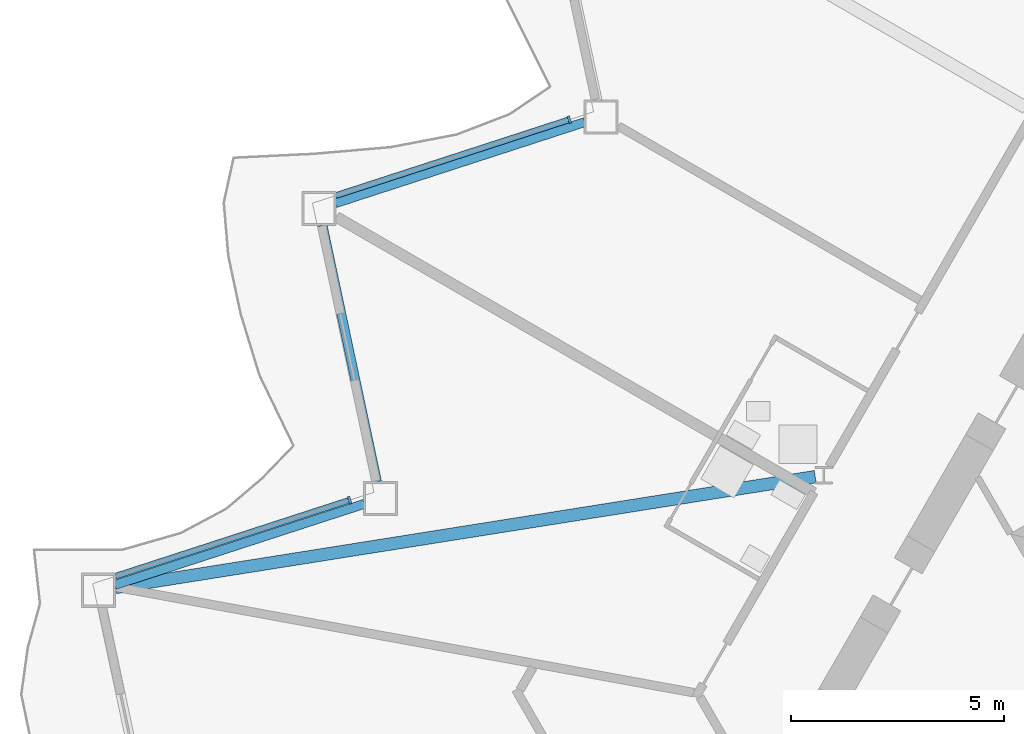
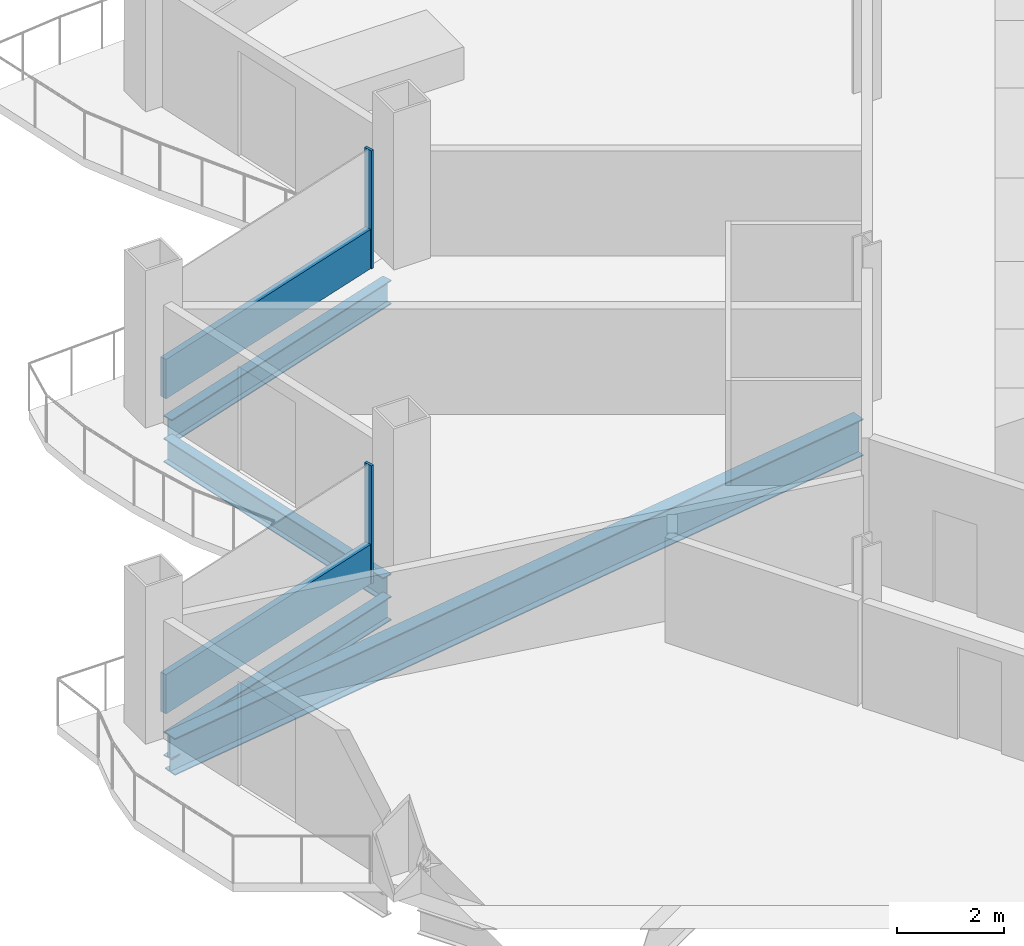
# One storey, part 5 of 24: 4 beams, 4 members, 2 elements without a shape of their own.
"""IFC4 building model written with IfcOpenShell, lengths in metres."""

from ifc_helpers import new_model, si_unit, direction, frame, origin, origin_2d, place, context, subcontext, project, spatial, rectangle, i_section, extrude, material, layer, layer_set, material_profile, profile_set, type_object, element, aggregate, save


model = new_model("IFC4")

# Units and contexts
model_context = context("Model", 3, precision=1e-05, world=origin(), true_north=direction((0.0, 1.0)))
body_context = subcontext(model_context, "Body", "Model", "MODEL_VIEW")
ifc_project = project(units=[si_unit("LENGTHUNIT", "METRE"), si_unit("AREAUNIT", "SQUARE_METRE"), si_unit("VOLUMEUNIT", "CUBIC_METRE"), si_unit("PLANEANGLEUNIT", "RADIAN"), si_unit("MASSUNIT", "GRAM", prefix="KILO")], contexts=[model_context])

# Site, building, storey
site_placement = place(None, origin())
site = spatial("IfcSite", under=ifc_project, at=site_placement, CompositionType="ELEMENT")
building_placement = place(site_placement, origin())
building = spatial("IfcBuilding", under=site, at=building_placement, Name="Cormorant Prow Tower", CompositionType="ELEMENT")
storey_placement = place(building_placement, frame((0.0, 0.0, 201.60009765625)))
storey = spatial("IfcBuildingStorey", under=building, at=storey_placement, Name="L44", CompositionType="ELEMENT", Elevation=201.60009765625)

# Curtain wall, member
ifc_material_1 = material(Name="Aluminium 6063-T6", Category="aluminium")
ifc_layer = layer(ifc_material_1, 0.179931640625)
ifc_layer_set = layer_set([ifc_layer], Name="Aluminium 6063-T6")
curtain_wall_type = type_object("IfcCurtainWallType", Name="Hotel unitised curtain wall 180", PredefinedType="NOTDEFINED", material=ifc_layer_set)
curtain_wall_1_placement = place(storey_placement, origin())
curtain_wall_1 = element("IfcCurtainWall", 1, at=curtain_wall_1_placement, inside=storey, type_object=curtain_wall_type, Name="Hotel curtain wall WNW06", PredefinedType="NOTDEFINED")
ifc_material_2 = material(Name="Aluminium 6063-T6", Category="aluminium")
ifc_material_profile_1 = material_profile(ifc_material_2, rectangle(XDim=0.179931640625, YDim=0.06005859375, at=origin_2d()), Name="Hotel mullion 60x180")
ifc_profile_set_1 = profile_set([ifc_material_profile_1], Name="Aluminium 6063-T6")
member_type_1 = type_object("IfcMemberType", Name="Hotel mullion 60x180", PredefinedType="MULLION", material=ifc_profile_set_1)
member_1_placement = place(storey_placement, frame((-20.705810546875, 5.496826171875, 0.0), z_axis=(0.0, 0.0, 1.0), x_axis=(0.309017032354, -0.951056503955, 0.0)))
member_1 = element("IfcMember", 2, at=member_1_placement, type_object=member_type_1, Name="Hotel mullion WNW06", PredefinedType="MULLION", context=body_context, shape_type="SweptSolid", body=[
    extrude(rectangle(XDim=0.179931640625, YDim=0.06005859375, at=origin_2d()), origin(), (0.0, 0.0, 1.0), 2.70068359375),
])

curtain_wall_2_placement = place(storey_placement, origin())
curtain_wall_2 = element("IfcCurtainWall", 3, at=curtain_wall_2_placement, inside=storey, type_object=curtain_wall_type, Name="Hotel curtain wall WNW08", PredefinedType="NOTDEFINED")
member_2_placement = place(storey_placement, frame((-25.853759765625, -3.419677734375, 0.0), z_axis=(0.0, 0.0, 1.0), x_axis=(0.309016944213, -0.951056532594, 0.0)))
member_2 = element("IfcMember", 4, at=member_2_placement, type_object=member_type_1, Name="Hotel mullion WNW08", PredefinedType="MULLION", context=body_context, shape_type="SweptSolid", body=[
    extrude(rectangle(XDim=0.179931640625, YDim=0.06005859375, at=origin_2d()), origin(), (0.0, 0.0, 1.0), 2.70068359375),
])

# Member
ifc_material_3 = material(Name="Terracotta", Category="masonry")
ifc_material_profile_2 = material_profile(ifc_material_3, rectangle(XDim=0.139892578125, YDim=0.89990234375, at=origin_2d()), Name="Hotel terracotta spandrel rail 140x900")
ifc_profile_set_2 = profile_set([ifc_material_profile_2], Name="Terracotta")
member_type_2 = type_object("IfcMemberType", Name="Hotel terracotta spandrel rail 140x900", PredefinedType="USERDEFINED", material=ifc_profile_set_2)
member_3_placement = place(storey_placement, frame((-20.734375, 5.487548828125, 0.449951171875), z_axis=(-0.951058483557, -0.309010939699, 0.0), x_axis=(0.309010939699, -0.951058483557, 0.0)))
member_3 = element("IfcMember", 5, at=member_3_placement, type_object=member_type_2, Name="Hotel spandrel rail WNW06", ObjectType="TRANSOM", PredefinedType="USERDEFINED", context=body_context, shape_type="SweptSolid", body=[
    extrude(rectangle(XDim=0.139892578125, YDim=0.89990234375, at=origin_2d()), origin(), (0.0, 0.0, 1.0), 5.731201171875),
])

aggregate(curtain_wall_1, [member_1, member_3])

member_4_placement = place(storey_placement, frame((-25.88232421875, -3.428955078125, 0.449951171875), z_axis=(-0.951050032086, -0.309036950006, 0.0), x_axis=(0.309036950006, -0.951050032086, 0.0)))
member_4 = element("IfcMember", 6, at=member_4_placement, type_object=member_type_2, Name="Hotel spandrel rail WNW08", ObjectType="TRANSOM", PredefinedType="USERDEFINED", context=body_context, shape_type="SweptSolid", body=[
    extrude(rectangle(XDim=0.139892578125, YDim=0.89990234375, at=origin_2d()), origin(), (0.0, 0.0, 1.0), 5.7314453125),
])

aggregate(curtain_wall_2, [member_2, member_4])

# Beams
ifc_material_4 = material(Name="Structural steel ASTM A992 Gr 50", Category="steel")
ifc_material_profile_3 = material_profile(ifc_material_4, i_section(OverallWidth=0.29296875, OverallDepth=0.845703125, WebThickness=0.015380859375, FlangeThickness=0.0244140625, at=origin_2d()), Name="W33x141")
ifc_profile_set_3 = profile_set([ifc_material_profile_3], Name="Structural steel ASTM A992 Gr 50")
beam_type_1 = type_object("IfcBeamType", Name="Radial floor beam W33x141", PredefinedType="BEAM", material=ifc_profile_set_3)
beam_1_placement = place(storey_placement, frame((-14.94384765625, -2.869140625, -0.77294921875), z_axis=(-0.987678058302, -0.156499371084, 0.0), x_axis=(0.156499371084, -0.987678058302, 0.0)))
element("IfcBeam", 7, at=beam_1_placement, inside=storey, type_object=beam_type_1, Name="Radial floor beam FB2 4 L44", PredefinedType="BEAM", context=body_context, shape_type="SweptSolid", body=[
    extrude(i_section(OverallWidth=0.29296875, OverallDepth=0.845703125, WebThickness=0.015380859375, FlangeThickness=0.0244140625, at=origin_2d()), origin(), (0.0, 0.0, 1.0), 16.604736328125),
])
ifc_material_5 = material(Name="Structural steel ASTM A992 Gr 50", Category="steel")
ifc_material_profile_4 = material_profile(ifc_material_5, i_section(OverallWidth=0.2138671875, OverallDepth=0.549072265625, WebThickness=0.0146484375, FlangeThickness=0.023681640625, at=origin_2d()), Name="W21x93")
ifc_profile_set_4 = profile_set([ifc_material_profile_4], Name="Structural steel ASTM A992 Gr 50")
beam_type_2 = type_object("IfcBeamType", Name="Spandrel beam W21x93", PredefinedType="SPANDREL", material=ifc_profile_set_4)
beam_2_placement = place(storey_placement, frame((-20.344970703125, 5.439208984375, -0.624755859375), z_axis=(-0.951057696564, -0.309013361859, 0.0), x_axis=(0.309013361859, -0.951057696564, 0.0)))
element("IfcBeam", 8, at=beam_2_placement, inside=storey, type_object=beam_type_2, Name="Spandrel beam SB2 WNW06-WNW07 L44", PredefinedType="SPANDREL", context=body_context, shape_type="SweptSolid", body=[
    extrude(i_section(OverallWidth=0.2138671875, OverallDepth=0.549072265625, WebThickness=0.0146484375, FlangeThickness=0.023681640625, at=origin_2d()), origin(), (0.0, 0.0, 1.0), 6.14990234375),
])
beam_3_placement = place(storey_placement, frame((-26.490966796875, 3.02392578125, -0.624755859375), z_axis=(0.207904811195, -0.978149063018, 0.0), x_axis=(0.978149063018, 0.207904811195, 0.0)))
element("IfcBeam", 9, at=beam_3_placement, inside=storey, type_object=beam_type_2, Name="Spandrel beam SB2 WNW07-WNW08 L44", PredefinedType="SPANDREL", context=body_context, shape_type="SweptSolid", body=[
    extrude(i_section(OverallWidth=0.2138671875, OverallDepth=0.549072265625, WebThickness=0.0146484375, FlangeThickness=0.023681640625, at=origin_2d()), origin(), (0.0, 0.0, 1.0), 6.149658203125),
])
beam_4_placement = place(storey_placement, frame((-25.509765625, -3.50634765625, -0.624755859375), z_axis=(-0.951057696564, -0.309013361859, 0.0), x_axis=(0.309013361859, -0.951057696564, 0.0)))
element("IfcBeam", 10, at=beam_4_placement, inside=storey, type_object=beam_type_2, Name="Spandrel beam SB2 WNW08-WNW09 L44", PredefinedType="SPANDREL", context=body_context, shape_type="SweptSolid", body=[
    extrude(i_section(OverallWidth=0.2138671875, OverallDepth=0.549072265625, WebThickness=0.0146484375, FlangeThickness=0.023681640625, at=origin_2d()), origin(), (0.0, 0.0, 1.0), 6.14990234375),
])

save(model, "model.ifc")
